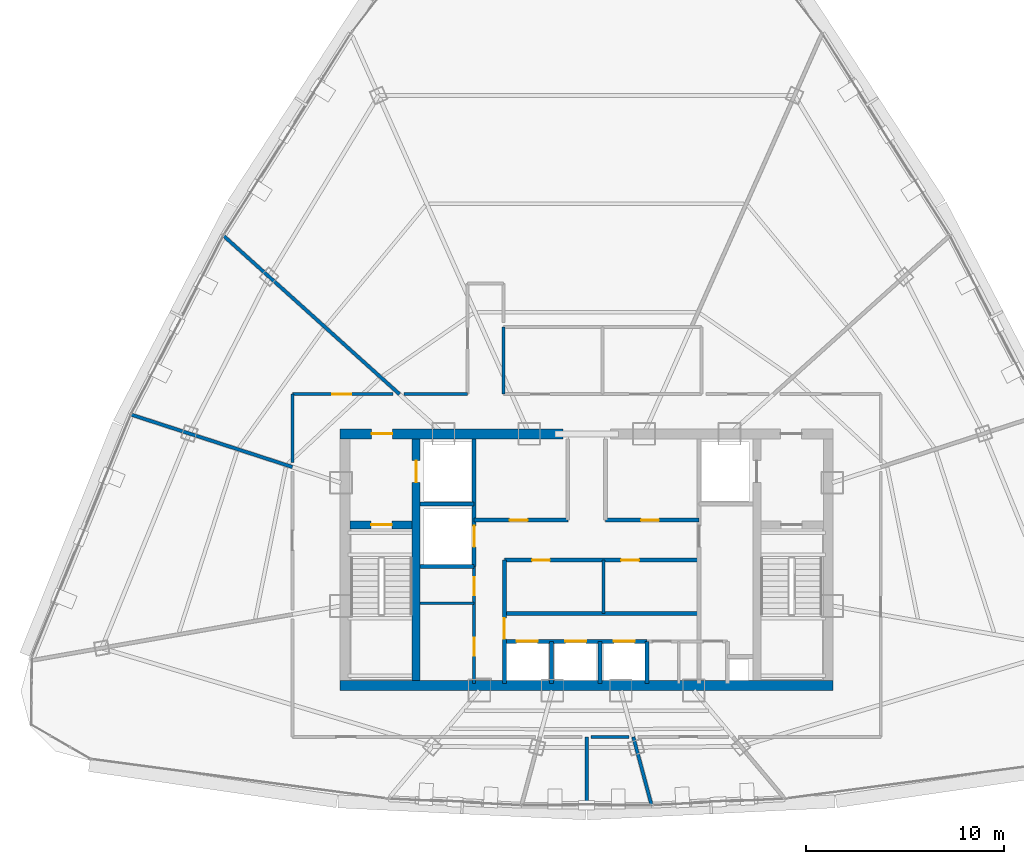
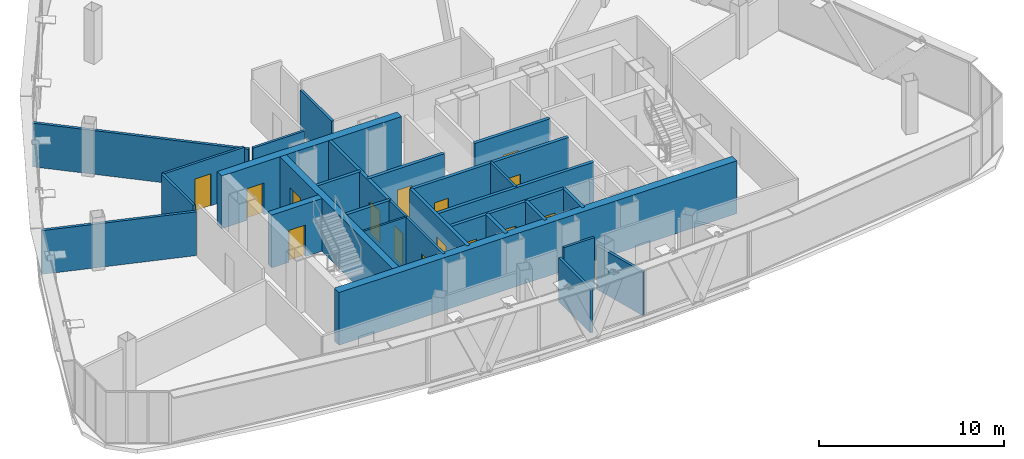
# One storey, part 22 of 27: 28 walls, 15 doors, 15 openings.
"""IFC4 building model written with IfcOpenShell, lengths in metres."""

from ifc_helpers import new_model, si_unit, direction, frame, frame_2d, origin, origin_with_axes, place, context, subcontext, project, spatial, rectangle, extrude, source, transform, mapped, material, layer, layer_set, type_object, element, fill, save


model = new_model("IFC4")

# Units and contexts
model_context = context("Model", 3, precision=1e-05, world=origin(), true_north=direction((0.0, 1.0)))
body_context = subcontext(model_context, "Body", "Model", "MODEL_VIEW")
ifc_project = project(units=[si_unit("LENGTHUNIT", "METRE"), si_unit("AREAUNIT", "SQUARE_METRE"), si_unit("VOLUMEUNIT", "CUBIC_METRE"), si_unit("PLANEANGLEUNIT", "RADIAN"), si_unit("MASSUNIT", "GRAM", prefix="KILO"), si_unit("THERMODYNAMICTEMPERATUREUNIT", "KELVIN"), si_unit("POWERUNIT", "WATT")], contexts=[model_context])

# Site, building, storey
site_placement = place(None, origin())
site = spatial("IfcSite", under=ifc_project, at=site_placement, CompositionType="ELEMENT")
building_placement = place(site_placement, origin())
building = spatial("IfcBuilding", under=site, at=building_placement, Name="Yunzhuo Pagoda Commons", CompositionType="ELEMENT")
storey_placement = place(building_placement, frame((0.0, 0.0, 344.260009765625)))
storey = spatial("IfcBuildingStorey", under=building, at=storey_placement, Name="L86", CompositionType="ELEMENT", Elevation=344.260009765625)

# Wall
ifc_material_1 = material(Name="Concrete C50", Category="concrete")
ifc_layer_1 = layer(ifc_material_1, 0.5)
ifc_layer_set_1 = layer_set([ifc_layer_1], Name="Concrete C50")
wall_type_1 = type_object("IfcWallType", Name="W-C03 Upper Core Shear Wall 500", PredefinedType="SHEAR", material=ifc_layer_set_1)
wall_1_placement = place(storey_placement, frame((35.550048828125, 27.5, 0.0), z_axis=(0.0, 0.0, 1.0), x_axis=(1.0, 0.0, 0.0)))
element("IfcWall", 1, at=wall_1_placement, inside=storey, type_object=wall_type_1, Name="L86 core shear wall S", PredefinedType="SHEAR", context=body_context, shape_type="SweptSolid", body=[
    extrude(rectangle(XDim=24.89990234375, YDim=0.5, at=frame_2d((12.449951171875, 0.0))), origin(), (0.0, 0.0, 1.0), 3.489990234375),
])

# Wall, opening, door
wall_2_placement = place(storey_placement, frame((35.550048828125, 40.199951171875, 0.0), z_axis=(0.0, 0.0, 1.0), x_axis=(1.0, 0.0, 0.0)))
wall_2 = element("IfcWall", 2, at=wall_2_placement, inside=storey, type_object=wall_type_1, Name="L86 core shear wall NW", PredefinedType="SHEAR", context=body_context, shape_type="SweptSolid", body=[
    extrude(rectangle(XDim=11.25, YDim=0.5, at=frame_2d((5.625, 0.0))), origin(), (0.0, 0.0, 1.0), 3.489990234375),
])
opening_1_placement = place(wall_2_placement, frame((1.60009765625, 0.0, 0.0)))
opening_1 = element("IfcOpeningElement", 3, at=opening_1_placement, cuts=wall_2, Name="Opening D-02", PredefinedType="OPENING", context=body_context, shape_type="SweptSolid", body=[
    extrude(rectangle(XDim=1.050048828125, YDim=2.10009765625, at=frame_2d((0.52490234375, 1.050048828125))), frame((0.0, 0.260009765625, 0.0), z_axis=(0.0, -1.0, 0.0), x_axis=(1.0, 0.0, 0.0)), (0.0, 0.0, 1.0), 0.52001953125),
])
ifc_material_2 = material(Name="Galvanized fire-resisting metal leaf")
door_type_1 = type_object("IfcDoorType", Name="D-02 Firefighting Lobby & Refuge Fire Door 1050x2100", OperationType="NOTDEFINED", PredefinedType="DOOR", material=ifc_material_2)
shared_shape_1 = source(origin(), body_context, "Body", "SweptSolid", [
    extrude(rectangle(XDim=1.050048828125, YDim=2.10009765625, at=frame_2d((0.52490234375, 1.050048828125))), frame((0.0, 0.02490234375, 0.0), z_axis=(0.0, -1.0, 0.0), x_axis=(1.0, 0.0, 0.0)), (0.0, 0.0, 1.0), 0.050048828125),
])
door_1_placement = place(opening_1_placement, frame((1.050048828125, 0.0, 0.0), z_axis=(0.0, 0.0, 1.0), x_axis=(-1.0, 0.0, 0.0)))
door_1 = element("IfcDoor", 4, at=door_1_placement, inside=storey, type_object=door_type_1, Name="L86 Firefighting Lobby 1 fire door", OperationType="SINGLE_SWING_LEFT", OverallHeight=2.10009765625, OverallWidth=1.050048828125, PredefinedType="DOOR", context=body_context, shape_type="MappedRepresentation", body=[
    mapped(shared_shape_1, transform((0.0, 0.0, 0.0), scale=1.0)),
])
fill(opening_1, door_1)

# Wall
ifc_material_3 = material(Name="Gypsum plasterboard on acoustic stud")
ifc_layer_2 = layer(ifc_material_3, 0.14990234375)
ifc_layer_set_2 = layer_set([ifc_layer_2], Name="Gypsum plasterboard on acoustic stud")
wall_type_2 = type_object("IfcWallType", Name="W-COR3 High-Zone Rated Corridor Wall 150", PredefinedType="PARTITIONING", material=ifc_layer_set_2)
wall_3_placement = place(storey_placement, frame((48.85009765625, 31.1201171875, 0.0), z_axis=(0.0, 0.0, 1.0), x_axis=(0.0, 1.0, 0.0)))
element("IfcWall", 5, at=wall_3_placement, inside=storey, type_object=wall_type_2, Name="L86 interior wall IW-L86-FRMD", PredefinedType="PARTITIONING", context=body_context, shape_type="SweptSolid", body=[
    extrude(rectangle(XDim=2.699951171875, YDim=0.14990234375, at=frame_2d((1.35009765625, 0.0))), origin(), (0.0, 0.0, 1.0), 3.489990234375),
])

# Wall, openings, doors
wall_4_placement = place(storey_placement, frame((42.320068359375, 27.60009765625, 0.0), z_axis=(0.0, 0.0, 1.0), x_axis=(0.0, 1.0, 0.0)))
wall_4 = element("IfcWall", 6, at=wall_4_placement, inside=storey, type_object=wall_type_2, Name="L86 interior wall IW-L86-CSWE", PredefinedType="PARTITIONING", context=body_context, shape_type="SweptSolid", body=[
    extrude(rectangle(XDim=5.89990234375, YDim=0.14990234375, at=frame_2d((2.949951171875, 0.0))), origin(), (0.0, 0.0, 1.0), 3.489990234375),
])
opening_2_placement = place(wall_4_placement, frame((1.39990234375, 0.0, 0.0)))
opening_2 = element("IfcOpeningElement", 7, at=opening_2_placement, cuts=wall_4, Name="Opening D-03", PredefinedType="OPENING", context=body_context, shape_type="SweptSolid", body=[
    extrude(rectangle(XDim=0.89990234375, YDim=2.10009765625, at=frame_2d((0.449951171875, 1.050048828125))), frame((0.0, 0.0849609375, 0.0), z_axis=(0.0, -1.0, 0.0), x_axis=(1.0, 0.0, 0.0)), (0.0, 0.0, 1.0), 0.169921875),
])
opening_3_placement = place(wall_4_placement, frame((4.449951171875, 0.0, 0.0)))
opening_3 = element("IfcOpeningElement", 8, at=opening_3_placement, cuts=wall_4, Name="Opening D-03", PredefinedType="OPENING", context=body_context, shape_type="SweptSolid", body=[
    extrude(rectangle(XDim=0.89990234375, YDim=2.10009765625, at=frame_2d((0.449951171875, 1.050048828125))), frame((0.0, 0.0849609375, 0.0), z_axis=(0.0, -1.0, 0.0), x_axis=(1.0, 0.0, 0.0)), (0.0, 0.0, 1.0), 0.169921875),
])
door_type_2 = type_object("IfcDoorType", Name="D-03 Core Service Fire Door 900x2100", OperationType="NOTDEFINED", PredefinedType="DOOR", material=ifc_material_2)
shared_shape_2 = source(origin(), body_context, "Body", "SweptSolid", [
    extrude(rectangle(XDim=0.89990234375, YDim=2.10009765625, at=frame_2d((0.449951171875, 1.050048828125))), frame((0.0, 0.02490234375, 0.0), z_axis=(0.0, -1.0, 0.0), x_axis=(1.0, 0.0, 0.0)), (0.0, 0.0, 1.0), 0.050048828125),
])
door_2_placement = place(opening_2_placement, origin_with_axes())
door_2 = element("IfcDoor", 9, at=door_2_placement, inside=storey, type_object=door_type_2, Name="L86 service store door", OperationType="SINGLE_SWING_LEFT", OverallHeight=2.10009765625, OverallWidth=0.89990234375, PredefinedType="DOOR", context=body_context, shape_type="MappedRepresentation", body=[
    mapped(shared_shape_2, transform((0.0, 0.0, 0.0), scale=1.0)),
])
fill(opening_2, door_2)
door_3_placement = place(opening_3_placement, origin_with_axes())
door_3 = element("IfcDoor", 10, at=door_3_placement, inside=storey, type_object=door_type_2, Name="L86 switch closet door", OperationType="SINGLE_SWING_RIGHT", OverallHeight=2.10009765625, OverallWidth=0.89990234375, PredefinedType="DOOR", context=body_context, shape_type="MappedRepresentation", body=[
    mapped(shared_shape_2, transform((0.0, 0.0, 0.0), scale=1.0)),
])
fill(opening_3, door_3)

# Walls
wall_5_placement = place(storey_placement, frame((43.800048828125, 42.199951171875, 0.0), z_axis=(0.0, 0.0, 1.0), x_axis=(0.0, 1.0, 0.0)))
element("IfcWall", 11, at=wall_5_placement, inside=storey, type_object=wall_type_2, Name="L86 interior wall IW-L86-TFWW", PredefinedType="PARTITIONING", context=body_context, shape_type="SweptSolid", body=[
    extrude(rectangle(XDim=3.400146484375, YDim=0.14990234375, at=frame_2d((1.7001953125, 0.0))), origin(), (0.0, 0.0, 1.0), 2.889892578125),
])
wall_6_placement = place(storey_placement, frame((33.14990234375, 38.75634765625, 0.0), z_axis=(0.0, 0.0, 1.0), x_axis=(0.0, 1.0, 0.0)))
element("IfcWall", 12, at=wall_6_placement, inside=storey, type_object=wall_type_2, Name="L86 interior wall IW-L86-CWL03", PredefinedType="PARTITIONING", context=body_context, shape_type="SweptSolid", body=[
    extrude(rectangle(XDim=3.443603515625, YDim=0.14990234375, at=frame_2d((1.7216796875, 0.0))), origin(), (0.0, 0.0, 1.0), 3.139892578125),
])

# Wall, opening, door
wall_7_placement = place(storey_placement, frame((33.14990234375, 42.199951171875, 0.0), z_axis=(0.0, 0.0, 1.0), x_axis=(1.0, 0.0, 0.0)))
wall_7 = element("IfcWall", 13, at=wall_7_placement, inside=storey, type_object=wall_type_2, Name="L86 interior wall IW-L86-CWL04", PredefinedType="PARTITIONING", context=body_context, shape_type="SweptSolid", body=[
    extrude(rectangle(XDim=5.0810546875, YDim=0.14990234375, at=frame_2d((2.54052734375, 0.0))), origin(), (0.0, 0.0, 1.0), 3.139892578125),
])
opening_4_placement = place(wall_7_placement, frame((2.0, 0.0, 0.0)))
opening_4 = element("IfcOpeningElement", 14, at=opening_4_placement, cuts=wall_7, Name="Opening D-08", PredefinedType="OPENING", context=body_context, shape_type="SweptSolid", body=[
    extrude(rectangle(XDim=0.97998046875, YDim=2.1201171875, at=frame_2d((0.489990234375, 1.06005859375))), frame((0.0, 0.0849609375, 0.0), z_axis=(0.0, -1.0, 0.0), x_axis=(1.0, 0.0, 0.0)), (0.0, 0.0, 1.0), 0.169921875),
])
door_type_3 = type_object("IfcDoorType", Name="D-08 High-Zone Suite Entrance Fire Door 980x2120", OperationType="NOTDEFINED", PredefinedType="DOOR", material=ifc_material_2)
shared_shape_3 = source(origin(), body_context, "Body", "SweptSolid", [
    extrude(rectangle(XDim=0.97998046875, YDim=2.1201171875, at=frame_2d((0.489990234375, 1.06005859375))), frame((0.0, 0.02490234375, 0.0), z_axis=(0.0, -1.0, 0.0), x_axis=(1.0, 0.0, 0.0)), (0.0, 0.0, 1.0), 0.050048828125),
])
door_4_placement = place(opening_4_placement, origin_with_axes())
door_4 = element("IfcDoor", 15, at=door_4_placement, inside=storey, type_object=door_type_3, Name="L86 unit 04 entrance door", OperationType="SINGLE_SWING_LEFT", OverallHeight=2.1201171875, OverallWidth=0.97998046875, PredefinedType="DOOR", context=body_context, shape_type="MappedRepresentation", body=[
    mapped(shared_shape_3, transform((0.0, 0.0, 0.0), scale=1.0)),
])
fill(opening_4, door_4)

# Walls
wall_8_placement = place(storey_placement, frame((38.779541015625, 42.199951171875, 0.0), z_axis=(0.0, 0.0, 1.0), x_axis=(1.0, 0.0, 0.0)))
element("IfcWall", 16, at=wall_8_placement, inside=storey, type_object=wall_type_2, Name="L86 interior wall IW-L86-CWL05", PredefinedType="PARTITIONING", context=body_context, shape_type="SweptSolid", body=[
    extrude(rectangle(XDim=3.220458984375, YDim=0.14990234375, at=frame_2d((1.6103515625, 0.0))), origin(), (0.0, 0.0, 1.0), 2.889892578125),
])
wall_9_placement = place(storey_placement, frame((50.13818359375, 24.89990234375, 0.0), z_axis=(0.0, 0.0, 1.0), x_axis=(-1.0, 0.0, 0.0)))
element("IfcWall", 17, at=wall_9_placement, inside=storey, type_object=wall_type_2, Name="L86 interior wall IW-L86-CWL15", PredefinedType="PARTITIONING", context=body_context, shape_type="SweptSolid", body=[
    extrude(rectangle(XDim=1.918212890625, YDim=0.14990234375, at=frame_2d((0.958984375, 0.0))), origin(), (0.0, 0.0, 1.0), 3.489990234375),
])
ifc_layer_3 = layer(ifc_material_3, 0.1201171875)
ifc_layer_set_3 = layer_set([ifc_layer_3], Name="Gypsum plasterboard on acoustic stud")
wall_type_3 = type_object("IfcWallType", Name="W-PRT1 Suite & Bathroom Partition 120", PredefinedType="PARTITIONING", material=ifc_layer_set_3)
wall_10_placement = place(storey_placement, frame((39.60009765625, 31.64990234375, 0.0), z_axis=(0.0, 0.0, 1.0), x_axis=(1.0, 0.0, 0.0)))
element("IfcWall", 18, at=wall_10_placement, inside=storey, type_object=wall_type_3, Name="L86 interior wall IW-L86-CD1", PredefinedType="PARTITIONING", context=body_context, shape_type="SweptSolid", body=[
    extrude(rectangle(XDim=2.719970703125, YDim=0.1201171875, at=frame_2d((1.35986328125, 0.0))), origin(), (0.0, 0.0, 1.0), 3.489990234375),
])
ifc_layer_4 = layer(ifc_material_3, 0.169921875)
ifc_layer_set_4 = layer_set([ifc_layer_4], Name="Gypsum plasterboard on acoustic stud")
wall_type_4 = type_object("IfcWallType", Name="W-PRT4 High-Zone Demising Wall 170", PredefinedType="PARTITIONING", material=ifc_layer_set_4)
wall_11_placement = place(storey_placement, frame((38.559814453125, 42.199951171875, 0.0), z_axis=(0.0, 0.0, 1.0), x_axis=(-0.743141978473, 0.669133768264, 0.0)))
element("IfcWall", 19, at=wall_11_placement, inside=storey, type_object=wall_type_4, Name="L86 interior wall IW-L86-RAD04", PredefinedType="PARTITIONING", context=body_context, shape_type="SweptSolid", body=[
    extrude(rectangle(XDim=11.96826171875, YDim=0.169921875, at=frame_2d((5.984130859375, 0.0))), origin(), (0.0, 0.0, 1.0), 2.889892578125),
])
wall_12_placement = place(storey_placement, frame((33.14990234375, 38.525146484375, 0.0), z_axis=(0.0, 0.0, 1.0), x_axis=(-0.951059599238, 0.309007505891, 0.0)))
element("IfcWall", 20, at=wall_12_placement, inside=storey, type_object=wall_type_4, Name="L86 interior wall IW-L86-RAD05", PredefinedType="PARTITIONING", context=body_context, shape_type="SweptSolid", body=[
    extrude(rectangle(XDim=8.572265625, YDim=0.169921875, at=frame_2d((4.2861328125, 0.0))), origin(), (0.0, 0.0, 1.0), 2.889892578125),
])
wall_13_placement = place(storey_placement, frame((48.0, 24.89990234375, 0.0), z_axis=(0.0, 0.0, 1.0), x_axis=(0.0, -1.0, 0.0)))
element("IfcWall", 21, at=wall_13_placement, inside=storey, type_object=wall_type_4, Name="L86 interior wall IW-L86-RAD08", PredefinedType="PARTITIONING", context=body_context, shape_type="SweptSolid", body=[
    extrude(rectangle(XDim=3.447509765625, YDim=0.169921875, at=frame_2d((1.7236328125, 0.0))), origin(), (0.0, 0.0, 1.0), 2.889892578125),
])
wall_14_placement = place(storey_placement, frame((50.35791015625, 24.89990234375, 0.0), z_axis=(0.0, 0.0, 1.0), x_axis=(0.258837518281, -0.965920876227, 0.0)))
element("IfcWall", 22, at=wall_14_placement, inside=storey, type_object=wall_type_4, Name="L86 interior wall IW-L86-RAD09", PredefinedType="PARTITIONING", context=body_context, shape_type="SweptSolid", body=[
    extrude(rectangle(XDim=3.569091796875, YDim=0.169921875, at=frame_2d((1.78466796875, 0.0))), origin(), (0.0, 0.0, 1.0), 2.889892578125),
])

# Wall, opening, door
ifc_material_4 = material(Name="Concrete C60", Category="concrete")
ifc_layer_5 = layer(ifc_material_4, 0.39990234375)
ifc_layer_set_5 = layer_set([ifc_layer_5], Name="Concrete C60")
wall_type_5 = type_object("IfcWallType", Name="W-S01 Internal Core Shear Web 400", PredefinedType="SHEAR", material=ifc_layer_set_5)
wall_15_placement = place(storey_placement, frame((39.39990234375, 27.75, 0.0), z_axis=(0.0, 0.0, 1.0), x_axis=(0.0, 1.0, 0.0)))
wall_15 = element("IfcWall", 23, at=wall_15_placement, inside=storey, type_object=wall_type_5, Name="L86 core shear wall WEBW", PredefinedType="SHEAR", context=body_context, shape_type="SweptSolid", body=[
    extrude(rectangle(XDim=12.199951171875, YDim=0.39990234375, at=frame_2d((6.10009765625, 0.0))), origin(), (0.0, 0.0, 1.0), 3.489990234375),
])
opening_5_placement = place(wall_15_placement, frame((10.0, 0.0, 0.0)))
opening_5 = element("IfcOpeningElement", 24, at=opening_5_placement, cuts=wall_15, Name="Opening LD-01", PredefinedType="OPENING", context=body_context, shape_type="SweptSolid", body=[
    extrude(rectangle(XDim=1.10009765625, YDim=2.10009765625, at=frame_2d((0.550048828125, 1.050048828125))), frame((0.0, 0.2099609375, 0.0), z_axis=(0.0, -1.0, 0.0), x_axis=(1.0, 0.0, 0.0)), (0.0, 0.0, 1.0), 0.419921875),
])
door_type_4 = type_object("IfcDoorType", Name="LD-01 Firefighting Lift Landing Door 1100x2100", OperationType="DOUBLE_DOOR_SLIDING", PredefinedType="DOOR", material=ifc_material_2)
shared_shape_4 = source(origin(), body_context, "Body", "SweptSolid", [
    extrude(rectangle(XDim=1.10009765625, YDim=2.10009765625, at=frame_2d((0.550048828125, 1.050048828125))), frame((0.0, 0.02490234375, 0.0), z_axis=(0.0, -1.0, 0.0), x_axis=(1.0, 0.0, 0.0)), (0.0, 0.0, 1.0), 0.050048828125),
])
door_5_placement = place(opening_5_placement, frame((1.10009765625, 0.0, 0.0), z_axis=(0.0, 0.0, 1.0), x_axis=(-1.0, 0.0, 0.0)))
door_5 = element("IfcDoor", 25, at=door_5_placement, inside=storey, type_object=door_type_4, Name="L86 Firefighting lift FL-1 landing door", OperationType="DOUBLE_DOOR_SLIDING", OverallHeight=2.10009765625, OverallWidth=1.10009765625, PredefinedType="DOOR", context=body_context, shape_type="MappedRepresentation", body=[
    mapped(shared_shape_4, transform((0.0, 0.0, 0.0), scale=1.0)),
])
fill(opening_5, door_5)

wall_16_placement = place(storey_placement, frame((36.050048828125, 35.60009765625, 0.0), z_axis=(0.0, 0.0, 1.0), x_axis=(1.0, 0.0, 0.0)))
wall_16 = element("IfcWall", 26, at=wall_16_placement, inside=storey, type_object=wall_type_5, Name="L86 core shear wall STW", PredefinedType="SHEAR", context=body_context, shape_type="SweptSolid", body=[
    extrude(rectangle(XDim=3.14990234375, YDim=0.39990234375, at=frame_2d((1.574951171875, 0.0))), origin(), (0.0, 0.0, 1.0), 3.489990234375),
])
opening_6_placement = place(wall_16_placement, frame((1.070068359375, 0.0, 0.0)))
opening_6 = element("IfcOpeningElement", 27, at=opening_6_placement, cuts=wall_16, Name="Opening D-01", PredefinedType="OPENING", context=body_context, shape_type="SweptSolid", body=[
    extrude(rectangle(XDim=1.050048828125, YDim=2.10009765625, at=frame_2d((0.52490234375, 1.050048828125))), frame((0.0, 0.2099609375, 0.0), z_axis=(0.0, -1.0, 0.0), x_axis=(1.0, 0.0, 0.0)), (0.0, 0.0, 1.0), 0.419921875),
])
door_type_5 = type_object("IfcDoorType", Name="D-01 Smokeproof Stair Fire Door 1050x2100", OperationType="NOTDEFINED", PredefinedType="DOOR", material=ifc_material_2)
door_6_placement = place(opening_6_placement, frame((1.050048828125, 0.0, 0.0), z_axis=(0.0, 0.0, 1.0), x_axis=(-1.0, 0.0, 0.0)))
door_6 = element("IfcDoor", 28, at=door_6_placement, inside=storey, type_object=door_type_5, Name="L86 Stair ST1 fire door", OperationType="SINGLE_SWING_LEFT", OverallHeight=2.10009765625, OverallWidth=1.050048828125, PredefinedType="DOOR", context=body_context, shape_type="MappedRepresentation", body=[
    mapped(shared_shape_1, transform((0.0, 0.0, 0.0), scale=1.0)),
])
fill(opening_6, door_6)

ifc_material_5 = material(Name="Concrete C40", Category="concrete")
ifc_layer_6 = layer(ifc_material_5, 0.199951171875)
ifc_layer_set_6 = layer_set([ifc_layer_6], Name="Concrete C40")
wall_type_6 = type_object("IfcWallType", Name="W-SHF Shaft & Stair Enclosure Wall 200", PredefinedType="SOLIDWALL", material=ifc_layer_set_6)
wall_17_placement = place(storey_placement, frame((42.320068359375, 33.5, 0.0), z_axis=(0.0, 0.0, 1.0), x_axis=(0.0, 1.0, 0.0)))
wall_17 = element("IfcWall", 29, at=wall_17_placement, inside=storey, type_object=wall_type_6, Name="L86 interior wall IW-L86-FL1E", PredefinedType="SOLIDWALL", context=body_context, shape_type="SweptSolid", body=[
    extrude(rectangle(XDim=6.449951171875, YDim=0.199951171875, at=frame_2d((3.22509765625, 0.0))), origin(), (0.0, 0.0, 1.0), 3.489990234375),
])
opening_7_placement = place(wall_17_placement, frame((1.0, 0.0, 0.0)))
opening_7 = element("IfcOpeningElement", 30, at=opening_7_placement, cuts=wall_17, Name="Opening LD-02", PredefinedType="OPENING", context=body_context, shape_type="SweptSolid", body=[
    extrude(rectangle(XDim=1.050048828125, YDim=2.10009765625, at=frame_2d((0.52490234375, 1.050048828125))), frame((0.0, 0.10986328125, 0.0), z_axis=(0.0, -1.0, 0.0), x_axis=(1.0, 0.0, 0.0)), (0.0, 0.0, 1.0), 0.219970703125),
])
door_type_6 = type_object("IfcDoorType", Name="LD-02 Passenger Lift Landing Door 1050x2100", OperationType="DOUBLE_DOOR_SLIDING", PredefinedType="DOOR", material=ifc_material_2)
door_7_placement = place(opening_7_placement, origin_with_axes())
door_7 = element("IfcDoor", 31, at=door_7_placement, inside=storey, type_object=door_type_6, Name="L86 Service lift SL-1 landing door", OperationType="DOUBLE_DOOR_SLIDING", OverallHeight=2.10009765625, OverallWidth=1.050048828125, PredefinedType="DOOR", context=body_context, shape_type="MappedRepresentation", body=[
    mapped(shared_shape_1, transform((0.0, 0.0, 0.0), scale=1.0)),
])
fill(opening_7, door_7)

# Walls
for number, where, z_axis, x_axis, name in (
    (32, (39.60009765625, 36.64990234375, 0.0), (0.0, 0.0, 1.0), (1.0, 0.0, 0.0), "L86 interior wall IW-L86-FL1S"),
    (33, (39.60009765625, 33.5, 0.0), (0.0, 0.0, 1.0), (1.0, 0.0, 0.0), "L86 interior wall IW-L86-SL1S"),
):
    element("IfcWall", number, at=place(storey_placement, frame(where, z_axis=z_axis, x_axis=x_axis)), inside=storey, type_object=wall_type_6, Name=name, PredefinedType="SOLIDWALL", context=body_context, shape_type="SweptSolid", body=[
        extrude(rectangle(XDim=2.719970703125, YDim=0.199951171875, at=frame_2d((1.35986328125, 0.0))), origin(), (0.0, 0.0, 1.0), 3.489990234375),
    ])

# Wall, opening, door
wall_18_placement = place(storey_placement, frame((42.320068359375, 35.85009765625, 0.0), z_axis=(0.0, 0.0, 1.0), x_axis=(1.0, 0.0, 0.0)))
wall_18 = element("IfcWall", 34, at=wall_18_placement, inside=storey, type_object=wall_type_6, Name="L86 interior wall IW-L86-LBNW", PredefinedType="SOLIDWALL", context=body_context, shape_type="SweptSolid", body=[
    extrude(rectangle(XDim=4.72998046875, YDim=0.199951171875, at=frame_2d((2.364990234375, 0.0))), origin(), (0.0, 0.0, 1.0), 3.489990234375),
])
opening_8_placement = place(wall_18_placement, frame((1.800048828125, 0.0, 0.0)))
opening_8 = element("IfcOpeningElement", 35, at=opening_8_placement, cuts=wall_18, Name="Opening D-03", PredefinedType="OPENING", context=body_context, shape_type="SweptSolid", body=[
    extrude(rectangle(XDim=0.89990234375, YDim=2.10009765625, at=frame_2d((0.449951171875, 1.050048828125))), frame((0.0, 0.10986328125, 0.0), z_axis=(0.0, -1.0, 0.0), x_axis=(1.0, 0.0, 0.0)), (0.0, 0.0, 1.0), 0.219970703125),
])
door_8_placement = place(opening_8_placement, frame((0.89990234375, 0.0, 0.0), z_axis=(0.0, 0.0, 1.0), x_axis=(-1.0, 0.0, 0.0)))
door_8 = element("IfcDoor", 36, at=door_8_placement, inside=storey, type_object=door_type_2, Name="L86 core west store door", OperationType="SINGLE_SWING_LEFT", OverallHeight=2.10009765625, OverallWidth=0.89990234375, PredefinedType="DOOR", context=body_context, shape_type="MappedRepresentation", body=[
    mapped(shared_shape_2, transform((0.0, 0.0, 0.0), scale=1.0)),
])
fill(opening_8, door_8)

wall_19_placement = place(storey_placement, frame((48.949951171875, 35.85009765625, 0.0), z_axis=(0.0, 0.0, 1.0), x_axis=(1.0, 0.0, 0.0)))
wall_19 = element("IfcWall", 37, at=wall_19_placement, inside=storey, type_object=wall_type_6, Name="L86 interior wall IW-L86-LBNE", PredefinedType="SOLIDWALL", context=body_context, shape_type="SweptSolid", body=[
    extrude(rectangle(XDim=4.72998046875, YDim=0.199951171875, at=frame_2d((2.364990234375, 0.0))), origin(), (0.0, 0.0, 1.0), 3.489990234375),
])
opening_9_placement = place(wall_19_placement, frame((1.800048828125, 0.0, 0.0)))
opening_9 = element("IfcOpeningElement", 38, at=opening_9_placement, cuts=wall_19, Name="Opening D-03", PredefinedType="OPENING", context=body_context, shape_type="SweptSolid", body=[
    extrude(rectangle(XDim=0.89990234375, YDim=2.10009765625, at=frame_2d((0.449951171875, 1.050048828125))), frame((0.0, 0.10986328125, 0.0), z_axis=(0.0, -1.0, 0.0), x_axis=(1.0, 0.0, 0.0)), (0.0, 0.0, 1.0), 0.219970703125),
])
door_9_placement = place(opening_9_placement, frame((0.89990234375, 0.0, 0.0), z_axis=(0.0, 0.0, 1.0), x_axis=(-1.0, 0.0, 0.0)))
door_9 = element("IfcDoor", 39, at=door_9_placement, inside=storey, type_object=door_type_2, Name="L86 core east store door", OperationType="SINGLE_SWING_RIGHT", OverallHeight=2.10009765625, OverallWidth=0.89990234375, PredefinedType="DOOR", context=body_context, shape_type="MappedRepresentation", body=[
    mapped(shared_shape_2, transform((0.0, 0.0, 0.0), scale=1.0)),
])
fill(opening_9, door_9)

# Wall, openings, doors
wall_20_placement = place(storey_placement, frame((43.85009765625, 33.820068359375, 0.0), z_axis=(0.0, 0.0, 1.0), x_axis=(1.0, 0.0, 0.0)))
wall_20 = element("IfcWall", 40, at=wall_20_placement, inside=storey, type_object=wall_type_6, Name="L86 interior wall IW-L86-MLBS", PredefinedType="SOLIDWALL", context=body_context, shape_type="SweptSolid", body=[
    extrude(rectangle(XDim=9.829833984375, YDim=0.199951171875, at=frame_2d((4.9150390625, 0.0))), origin(), (0.0, 0.0, 1.0), 3.489990234375),
])
opening_10_placement = place(wall_20_placement, frame((1.39990234375, 0.0, 0.0)))
opening_10 = element("IfcOpeningElement", 41, at=opening_10_placement, cuts=wall_20, Name="Opening D-03", PredefinedType="OPENING", context=body_context, shape_type="SweptSolid", body=[
    extrude(rectangle(XDim=0.89990234375, YDim=2.10009765625, at=frame_2d((0.449951171875, 1.050048828125))), frame((0.0, 0.10986328125, 0.0), z_axis=(0.0, -1.0, 0.0), x_axis=(1.0, 0.0, 0.0)), (0.0, 0.0, 1.0), 0.219970703125),
])
opening_11_placement = place(wall_20_placement, frame((5.89990234375, 0.0, 0.0)))
opening_11 = element("IfcOpeningElement", 42, at=opening_11_placement, cuts=wall_20, Name="Opening D-03", PredefinedType="OPENING", context=body_context, shape_type="SweptSolid", body=[
    extrude(rectangle(XDim=0.89990234375, YDim=2.10009765625, at=frame_2d((0.449951171875, 1.050048828125))), frame((0.0, 0.10986328125, 0.0), z_axis=(0.0, -1.0, 0.0), x_axis=(1.0, 0.0, 0.0)), (0.0, 0.0, 1.0), 0.219970703125),
])
door_10_placement = place(opening_10_placement, origin_with_axes())
door_10 = element("IfcDoor", 43, at=door_10_placement, inside=storey, type_object=door_type_2, Name="L86 core mid-west store door", OperationType="SINGLE_SWING_LEFT", OverallHeight=2.10009765625, OverallWidth=0.89990234375, PredefinedType="DOOR", context=body_context, shape_type="MappedRepresentation", body=[
    mapped(shared_shape_2, transform((0.0, 0.0, 0.0), scale=1.0)),
])
fill(opening_10, door_10)
door_11_placement = place(opening_11_placement, origin_with_axes())
door_11 = element("IfcDoor", 44, at=door_11_placement, inside=storey, type_object=door_type_2, Name="L86 core mid-east store door", OperationType="SINGLE_SWING_RIGHT", OverallHeight=2.10009765625, OverallWidth=0.89990234375, PredefinedType="DOOR", context=body_context, shape_type="MappedRepresentation", body=[
    mapped(shared_shape_2, transform((0.0, 0.0, 0.0), scale=1.0)),
])
fill(opening_11, door_11)

# Wall, opening, door
wall_21_placement = place(storey_placement, frame((43.85009765625, 27.60009765625, 0.0), z_axis=(0.0, 0.0, 1.0), x_axis=(0.0, 1.0, 0.0)))
wall_21 = element("IfcWall", 45, at=wall_21_placement, inside=storey, type_object=wall_type_6, Name="L86 interior wall IW-L86-PLMW", PredefinedType="SOLIDWALL", context=body_context, shape_type="SweptSolid", body=[
    extrude(rectangle(XDim=6.219970703125, YDim=0.199951171875, at=frame_2d((3.10986328125, 0.0))), origin(), (0.0, 0.0, 1.0), 3.489990234375),
])
opening_12_placement = place(wall_21_placement, frame((2.25, 0.0, 0.0)))
opening_12 = element("IfcOpeningElement", 46, at=opening_12_placement, cuts=wall_21, Name="Opening D-02", PredefinedType="OPENING", context=body_context, shape_type="SweptSolid", body=[
    extrude(rectangle(XDim=1.050048828125, YDim=2.10009765625, at=frame_2d((0.52490234375, 1.050048828125))), frame((0.0, 0.10986328125, 0.0), z_axis=(0.0, -1.0, 0.0), x_axis=(1.0, 0.0, 0.0)), (0.0, 0.0, 1.0), 0.219970703125),
])
door_12_placement = place(opening_12_placement, frame((1.050048828125, 0.0, 0.0), z_axis=(0.0, 0.0, 1.0), x_axis=(-1.0, 0.0, 0.0)))
door_12 = element("IfcDoor", 47, at=door_12_placement, inside=storey, type_object=door_type_1, Name="L86 High-bank hall west door", OperationType="SINGLE_SWING_LEFT", OverallHeight=2.10009765625, OverallWidth=1.050048828125, PredefinedType="DOOR", context=body_context, shape_type="MappedRepresentation", body=[
    mapped(shared_shape_1, transform((0.0, 0.0, 0.0), scale=1.0)),
])
fill(opening_12, door_12)

# Wall, openings, doors
wall_22_placement = place(storey_placement, frame((43.85009765625, 29.719970703125, 0.0), z_axis=(0.0, 0.0, 1.0), x_axis=(1.0, 0.0, 0.0)))
wall_22 = element("IfcWall", 48, at=wall_22_placement, inside=storey, type_object=wall_type_6, Name="L86 interior wall IW-L86-PLHN", PredefinedType="SOLIDWALL", context=body_context, shape_type="SweptSolid", body=[
    extrude(rectangle(XDim=7.199951171875, YDim=0.199951171875, at=frame_2d((3.60009765625, 0.0))), origin(), (0.0, 0.0, 1.0), 3.489990234375),
])
opening_13_placement = place(wall_22_placement, frame((0.625, 0.0, 0.0)))
opening_13 = element("IfcOpeningElement", 49, at=opening_13_placement, cuts=wall_22, Name="Opening LD-02", PredefinedType="OPENING", context=body_context, shape_type="SweptSolid", body=[
    extrude(rectangle(XDim=1.050048828125, YDim=2.10009765625, at=frame_2d((0.52490234375, 1.050048828125))), frame((0.0, 0.10986328125, 0.0), z_axis=(0.0, -1.0, 0.0), x_axis=(1.0, 0.0, 0.0)), (0.0, 0.0, 1.0), 0.219970703125),
])
opening_14_placement = place(wall_22_placement, frame((3.074951171875, 0.0, 0.0)))
opening_14 = element("IfcOpeningElement", 50, at=opening_14_placement, cuts=wall_22, Name="Opening LD-02", PredefinedType="OPENING", context=body_context, shape_type="SweptSolid", body=[
    extrude(rectangle(XDim=1.050048828125, YDim=2.10009765625, at=frame_2d((0.52490234375, 1.050048828125))), frame((0.0, 0.10986328125, 0.0), z_axis=(0.0, -1.0, 0.0), x_axis=(1.0, 0.0, 0.0)), (0.0, 0.0, 1.0), 0.219970703125),
])
opening_15_placement = place(wall_22_placement, frame((5.52490234375, 0.0, 0.0)))
opening_15 = element("IfcOpeningElement", 51, at=opening_15_placement, cuts=wall_22, Name="Opening LD-02", PredefinedType="OPENING", context=body_context, shape_type="SweptSolid", body=[
    extrude(rectangle(XDim=1.050048828125, YDim=2.10009765625, at=frame_2d((0.52490234375, 1.050048828125))), frame((0.0, 0.10986328125, 0.0), z_axis=(0.0, -1.0, 0.0), x_axis=(1.0, 0.0, 0.0)), (0.0, 0.0, 1.0), 0.219970703125),
])
door_13_placement = place(opening_13_placement, origin_with_axes())
door_13 = element("IfcDoor", 52, at=door_13_placement, inside=storey, type_object=door_type_6, Name="L86 Passenger lift PL-H1 landing door", OperationType="DOUBLE_DOOR_SLIDING", OverallHeight=2.10009765625, OverallWidth=1.050048828125, PredefinedType="DOOR", context=body_context, shape_type="MappedRepresentation", body=[
    mapped(shared_shape_1, transform((0.0, 0.0, 0.0), scale=1.0)),
])
fill(opening_13, door_13)
door_14_placement = place(opening_14_placement, origin_with_axes())
door_14 = element("IfcDoor", 53, at=door_14_placement, inside=storey, type_object=door_type_6, Name="L86 Passenger lift PL-H2 landing door", OperationType="DOUBLE_DOOR_SLIDING", OverallHeight=2.10009765625, OverallWidth=1.050048828125, PredefinedType="DOOR", context=body_context, shape_type="MappedRepresentation", body=[
    mapped(shared_shape_1, transform((0.0, 0.0, 0.0), scale=1.0)),
])
fill(opening_14, door_14)
door_15_placement = place(opening_15_placement, origin_with_axes())
door_15 = element("IfcDoor", 54, at=door_15_placement, inside=storey, type_object=door_type_6, Name="L86 Passenger lift PL-H3 landing door", OperationType="DOUBLE_DOOR_SLIDING", OverallHeight=2.10009765625, OverallWidth=1.050048828125, PredefinedType="DOOR", context=body_context, shape_type="MappedRepresentation", body=[
    mapped(shared_shape_1, transform((0.0, 0.0, 0.0), scale=1.0)),
])
fill(opening_15, door_15)

# Walls
wall_23_placement = place(storey_placement, frame((51.050048828125, 27.60009765625, 0.0), z_axis=(0.0, 0.0, 1.0), x_axis=(0.0, 1.0, 0.0)))
element("IfcWall", 55, at=wall_23_placement, inside=storey, type_object=wall_type_6, Name="L86 interior wall IW-L86-PLHE", PredefinedType="SOLIDWALL", context=body_context, shape_type="SweptSolid", body=[
    extrude(rectangle(XDim=2.119873046875, YDim=0.199951171875, at=frame_2d((1.06005859375, 0.0))), origin(), (0.0, 0.0, 1.0), 3.489990234375),
])
wall_24_placement = place(storey_placement, frame((43.85009765625, 31.1201171875, 0.0), z_axis=(0.0, 0.0, 1.0), x_axis=(1.0, 0.0, 0.0)))
element("IfcWall", 56, at=wall_24_placement, inside=storey, type_object=wall_type_6, Name="L86 interior wall IW-L86-PLMS2", PredefinedType="SOLIDWALL", context=body_context, shape_type="SweptSolid", body=[
    extrude(rectangle(XDim=9.829833984375, YDim=0.199951171875, at=frame_2d((4.9150390625, 0.0))), origin(), (0.0, 0.0, 1.0), 3.489990234375),
])
for number, where, z_axis, x_axis, name in (
    (57, (46.22509765625, 27.60009765625, 0.0), (0.0, 0.0, 1.0), (0.0, 1.0, 0.0), "L86 interior wall IW-L86-PLHD1"),
    (58, (48.675048828125, 27.60009765625, 0.0), (0.0, 0.0, 1.0), (0.0, 1.0, 0.0), "L86 interior wall IW-L86-PLHD2"),
):
    element("IfcWall", number, at=place(storey_placement, frame(where, z_axis=z_axis, x_axis=x_axis)), inside=storey, type_object=wall_type_6, Name=name, PredefinedType="SOLIDWALL", context=body_context, shape_type="SweptSolid", body=[
        extrude(rectangle(XDim=2.119873046875, YDim=0.199951171875, at=frame_2d((1.06005859375, 0.0))), origin(), (0.0, 0.0, 1.0), 3.489990234375),
    ])

save(model, "model.ifc")
